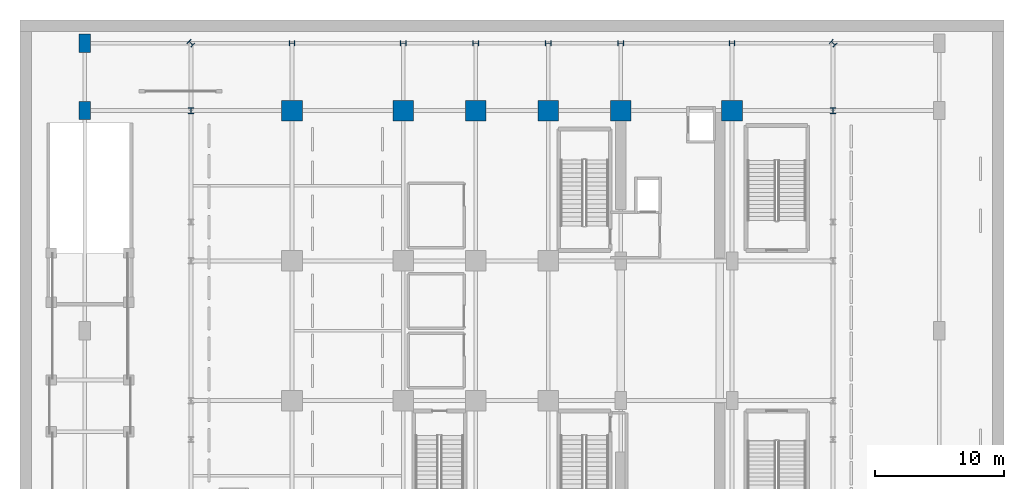
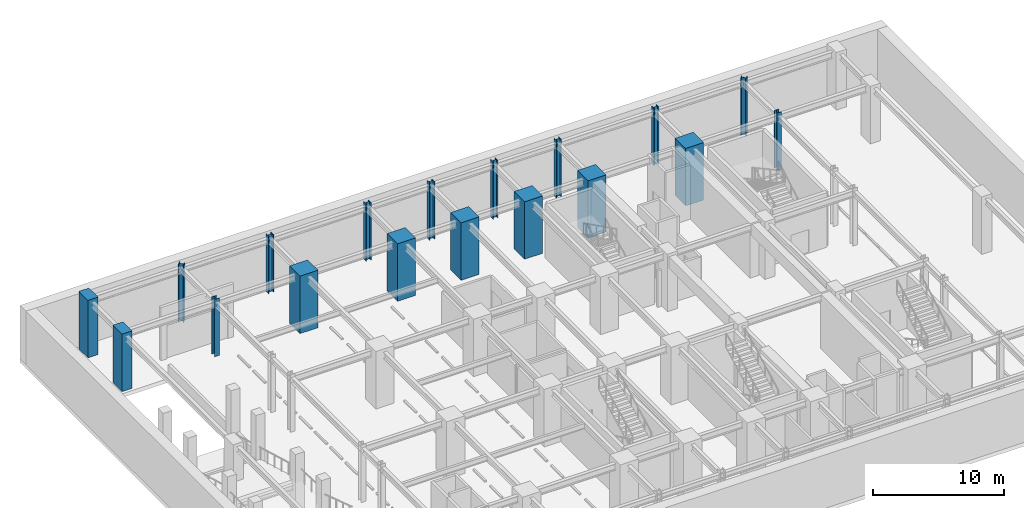
# One storey, part 2 of 10: 18 columns.
"""IFC4 building model written with IfcOpenShell, lengths in metres."""

from ifc_helpers import new_model, si_unit, direction, frame, origin, origin_2d, place, context, subcontext, project, spatial, rectangle, i_section, extrude, source, transform, mapped, material, material_profile, profile_set, type_object, element, save


model = new_model("IFC4")

# Units and contexts
model_context = context("Model", 3, precision=1e-05, world=origin(), true_north=direction((0.0, 1.0)))
body_context = subcontext(model_context, "Body", "Model", "MODEL_VIEW")
ifc_project = project(units=[si_unit("LENGTHUNIT", "METRE"), si_unit("AREAUNIT", "SQUARE_METRE"), si_unit("VOLUMEUNIT", "CUBIC_METRE"), si_unit("PLANEANGLEUNIT", "RADIAN"), si_unit("MASSUNIT", "GRAM", prefix="KILO")], contexts=[model_context])

# Site, building, storey
site_placement = place(None, origin())
site = spatial("IfcSite", under=ifc_project, at=site_placement, CompositionType="ELEMENT")
building_placement = place(site_placement, origin())
building = spatial("IfcBuilding", under=site, at=building_placement, Name="Nahalor Promenade Grand Hotel", CompositionType="ELEMENT")
storey_placement = place(building_placement, frame((0.0, 0.0, -5.39990234375)))
storey = spatial("IfcBuildingStorey", under=building, at=storey_placement, Name="B01", CompositionType="ELEMENT", Elevation=-5.39990234375)

# Columns
ifc_material_1 = material(Name="Concrete B-70 (C60/75)", Category="concrete")
ifc_material_profile_1 = material_profile(ifc_material_1, rectangle(XDim=1.6, YDim=1.6, at=origin_2d()), Name="RC 1600x1600")
ifc_profile_set_1 = profile_set([ifc_material_profile_1], Name="Concrete B-70 (C60/75)")
column_type_1 = type_object("IfcColumnType", Name="Col-RC-1600", PredefinedType="COLUMN", material=ifc_profile_set_1)
shared_shape_1 = source(origin(), body_context, "Body", "SweptSolid", [
    extrude(rectangle(XDim=1.6, YDim=1.6, at=origin_2d()), origin(), (0.0, 0.0, 1.0), 5.35498046875),
])
for number, where, z_axis, x_axis, name in (
    (1, (-17.0, 17.0, 0.0), (0.0, 0.0, 1.0), (1.0, 0.0, 0.0), "COL-B01-I03"),
    (2, (-8.39990234375, 17.0, 0.0), (0.0, 0.0, 1.0), (1.0, 0.0, 0.0), "COL-B01-I13"),
    (3, (-2.800048828125, 17.0, 0.0), (0.0, 0.0, 1.0), (1.0, 0.0, 0.0), "COL-B01-I23"),
    (4, (2.800048828125, 17.0, 0.0), (0.0, 0.0, 1.0), (1.0, 0.0, 0.0), "COL-B01-I33"),
    (5, (8.39990234375, 17.0, 0.0), (0.0, 0.0, 1.0), (1.0, 0.0, 0.0), "COL-B01-I43"),
    (6, (17.0, 17.0, 0.0), (0.0, 0.0, 1.0), (1.0, 0.0, 0.0), "COL-B01-I53"),
):
    element("IfcColumn", number, at=place(storey_placement, frame(where, z_axis=z_axis, x_axis=x_axis)), inside=storey, type_object=column_type_1, Name=name, PredefinedType="COLUMN", context=body_context, shape_type="MappedRepresentation", body=[
        mapped(shared_shape_1, transform((0.0, 0.0, 0.0), scale=1.0)),
    ])
ifc_material_2 = material(Name="Concrete B-60 (C50/60)", Category="concrete")
ifc_material_profile_2 = material_profile(ifc_material_2, rectangle(XDim=0.9, YDim=1.4, at=origin_2d()), Name="RC 900x1400")
ifc_profile_set_2 = profile_set([ifc_material_profile_2], Name="Concrete B-60 (C50/60)")
column_type_2 = type_object("IfcColumnType", Name="Col-Pilaster-1400", PredefinedType="PILASTER", material=ifc_profile_set_2)
shared_shape_2 = source(origin(), body_context, "Body", "SweptSolid", [
    extrude(rectangle(XDim=0.9, YDim=1.4, at=origin_2d()), origin(), (0.0, 0.0, 1.0), 5.35498046875),
])
for number, where, z_axis, x_axis, name in (
    (7, (-33.0, 17.0, 0.0), (0.0, 0.0, 1.0), (1.0, 0.0, 0.0), "COL-B01-PC-W3"),
    (8, (-33.0, 22.199951171875, 0.0), (0.0, 0.0, 1.0), (1.0, 0.0, 0.0), "COL-B01-PC-W4"),
):
    element("IfcColumn", number, at=place(storey_placement, frame(where, z_axis=z_axis, x_axis=x_axis)), inside=storey, type_object=column_type_2, Name=name, PredefinedType="PILASTER", context=body_context, shape_type="MappedRepresentation", body=[
        mapped(shared_shape_2, transform((0.0, 0.0, 0.0), scale=1.0)),
    ])
ifc_material_3 = material(Name="Steel S355J2", Category="steel")
ifc_material_profile_3 = material_profile(ifc_material_3, i_section(OverallWidth=0.416, OverallDepth=0.446, WebThickness=0.025, FlangeThickness=0.04, at=origin_2d()), Name="HD 400x509")
ifc_profile_set_3 = profile_set([ifc_material_profile_3], Name="Steel S355J2")
column_type_3 = type_object("IfcColumnType", Name="Col-Steel-HD509", PredefinedType="COLUMN", material=ifc_profile_set_3)
shared_shape_3 = source(origin(), body_context, "Body", "SweptSolid", [
    extrude(i_section(OverallWidth=0.416, OverallDepth=0.446, WebThickness=0.025, FlangeThickness=0.04, at=origin_2d()), origin(), (0.0, 0.0, 1.0), 5.35498046875),
])
for number, where, z_axis, x_axis, name in (
    (9, (-24.800048828125, 17.0, 0.0), (0.0, 0.0, 1.0), (1.0, 0.0, 0.0), "COL-B01-PW-W5"),
    (10, (24.800048828125, 17.0, 0.0), (0.0, 0.0, 1.0), (1.0, 0.0, 0.0), "COL-B01-PW-E5"),
    (11, (-17.0, 22.199951171875, 0.0), (0.0, 0.0, 1.0), (0.0, 1.0, 0.0), "COL-B01-PN-N0"),
    (12, (-8.39990234375, 22.199951171875, 0.0), (0.0, 0.0, 1.0), (0.0, 1.0, 0.0), "COL-B01-PN-N1"),
    (13, (-2.800048828125, 22.199951171875, 0.0), (0.0, 0.0, 1.0), (0.0, 1.0, 0.0), "COL-B01-PN-N2"),
    (14, (2.800048828125, 22.199951171875, 0.0), (0.0, 0.0, 1.0), (0.0, 1.0, 0.0), "COL-B01-PN-N3"),
    (15, (8.39990234375, 22.199951171875, 0.0), (0.0, 0.0, 1.0), (0.0, 1.0, 0.0), "COL-B01-PN-N4"),
    (16, (17.0, 22.199951171875, 0.0), (0.0, 0.0, 1.0), (0.0, 1.0, 0.0), "COL-B01-PN-N5"),
    (17, (-24.800048828125, 22.199951171875, 0.0), (0.0, 0.0, 1.0), (0.707106781187, 0.707106781187, 0.0), "COL-B01-CRN-NW"),
    (18, (24.800048828125, 22.199951171875, 0.0), (0.0, 0.0, 1.0), (0.707106781187, 0.707106781187, 0.0), "COL-B01-CRN-NE"),
):
    element("IfcColumn", number, at=place(storey_placement, frame(where, z_axis=z_axis, x_axis=x_axis)), inside=storey, type_object=column_type_3, Name=name, PredefinedType="COLUMN", context=body_context, shape_type="MappedRepresentation", body=[
        mapped(shared_shape_3, transform((0.0, 0.0, 0.0), scale=1.0)),
    ])

save(model, "model.ifc")
